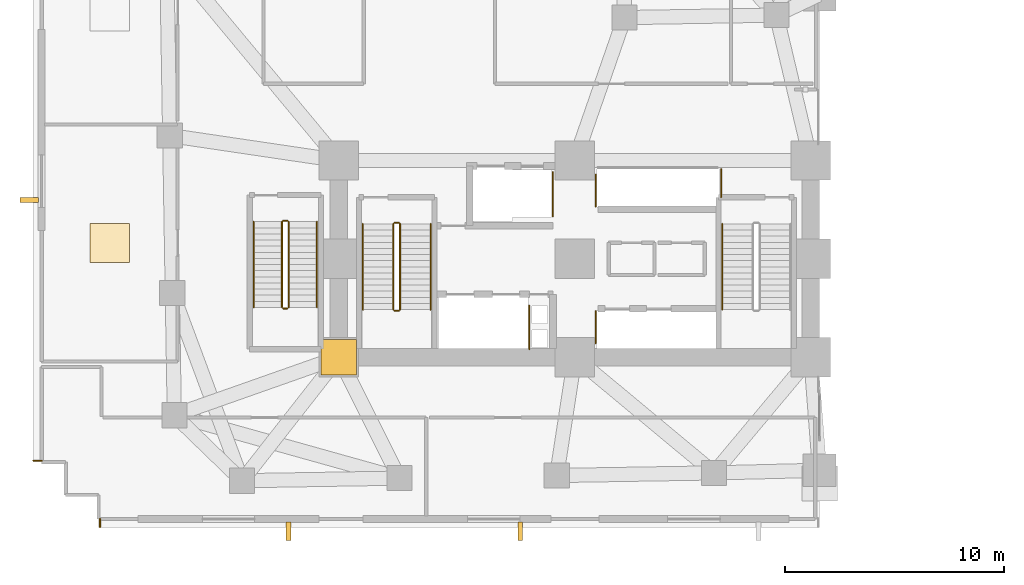
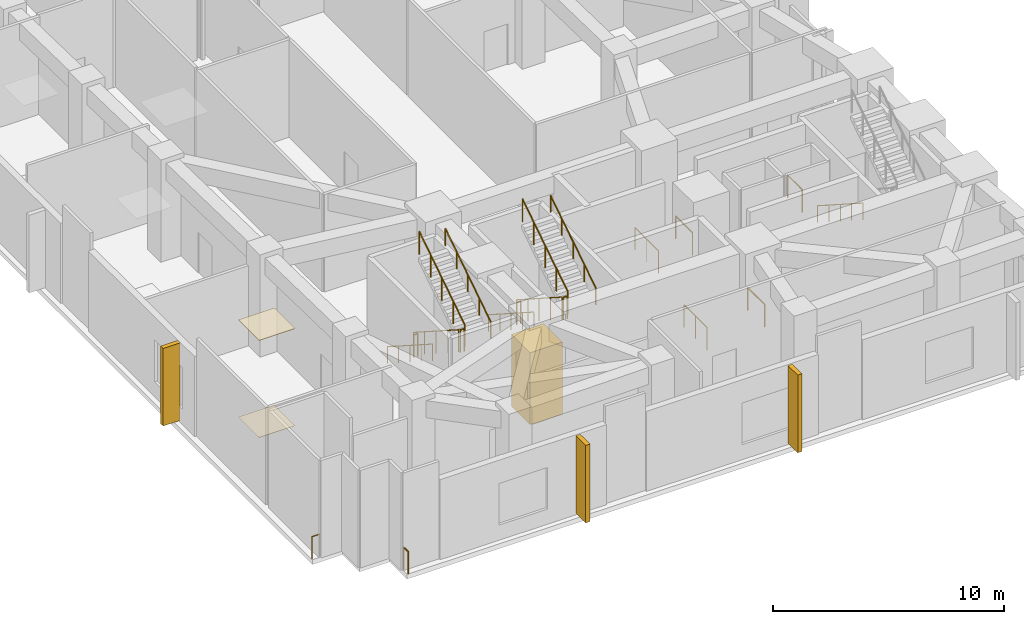
# One storey, part 13 of 18: 20 railings, 3 coverings, 3 shading devices.
"""IFC4 building model written with IfcOpenShell, lengths in metres."""

from ifc_helpers import new_model, si_unit, direction, frame, origin, origin_2d, place, context, subcontext, project, spatial, rectangle, circle, extrude, material, layer, layer_set, type_object, element, save


model = new_model("IFC4")

# Units and contexts
model_context = context("Model", 3, precision=1e-05, world=origin(), true_north=direction((0.0, 1.0)))
body_context = subcontext(model_context, "Body", "Model", "MODEL_VIEW")
ifc_project = project(units=[si_unit("LENGTHUNIT", "METRE"), si_unit("AREAUNIT", "SQUARE_METRE"), si_unit("VOLUMEUNIT", "CUBIC_METRE"), si_unit("PLANEANGLEUNIT", "RADIAN"), si_unit("MASSUNIT", "GRAM", prefix="KILO")], contexts=[model_context])

# Site, building, storey
site_placement = place(None, origin())
site = spatial("IfcSite", under=ifc_project, at=site_placement, CompositionType="ELEMENT")
building_placement = place(site_placement, origin())
building = spatial("IfcBuilding", under=site, at=building_placement, Name="Gaonmaruhae Medical Tower", CompositionType="ELEMENT")
storey_placement = place(building_placement, frame((0.0, 0.0, 10.800048828125)))
storey = spatial("IfcBuildingStorey", under=building, at=storey_placement, Name="L02", CompositionType="ELEMENT", Elevation=10.800048828125)

# Coverings
ifc_material_1 = material(Name="Architectural precast column cladding", Category="concrete")
ifc_layer_1 = layer(ifc_material_1, 0.06005859375)
ifc_layer_set_1 = layer_set([ifc_layer_1], Name="Architectural precast column cladding")
covering_type_1 = type_object("IfcCoveringType", Name="CLD-01 Architectural Precast Pier Cladding", PredefinedType="CLADDING", material=ifc_layer_set_1)
covering_1_placement = place(storey_placement, frame((14.0, 7.800048828125, 0.10009765625), z_axis=(0.0, 0.0, 1.0), x_axis=(1.0, 0.0, 0.0)))
element("IfcCovering", 1, at=covering_1_placement, inside=storey, type_object=covering_type_1, Name="L02 Architectural Precast Column Cladding 5", PredefinedType="CLADDING", context=body_context, shape_type="SweptSolid", body=[
    extrude(rectangle(XDim=1.6201171875, YDim=1.6201171875, at=origin_2d()), origin(), (0.0, 0.0, 1.0), 3.800048828125),
])
ifc_material_2 = material(Name="Acoustic mineral ceiling tile", Category="finish")
ifc_layer_2 = layer(ifc_material_2, 0.02490234375)
ifc_layer_set_2 = layer_set([ifc_layer_2], Name="Acoustic mineral ceiling tile")
covering_type_2 = type_object("IfcCoveringType", Name="CLG-01 Antimicrobial Acoustic Mineral Ceiling", PredefinedType="CEILING", material=ifc_layer_set_2)
covering_2_placement = place(storey_placement, frame((3.510009765625, 13.02490234375, 5.125), z_axis=(0.0, 0.0, 1.0), x_axis=(1.0, 0.0, 0.0)))
element("IfcCovering", 2, at=covering_2_placement, inside=storey, type_object=covering_type_2, Name="L02 Clinical Room Acoustic Ceiling 2", PredefinedType="CEILING", context=body_context, shape_type="SweptSolid", body=[
    extrude(rectangle(XDim=1.800048828125, YDim=1.800048828125, at=origin_2d()), origin(), (0.0, 0.0, 1.0), 0.02490234375),
])
ifc_material_3 = material(Name="Seamless clinical vinyl flooring", Category="finish")
ifc_layer_3 = layer(ifc_material_3, 0.014892578125)
ifc_layer_set_3 = layer_set([ifc_layer_3], Name="Seamless clinical vinyl flooring")
covering_type_3 = type_object("IfcCoveringType", Name="FLR-01 Seamless Clinical Antistatic Vinyl Flooring", PredefinedType="FLOORING", material=ifc_layer_set_3)
covering_3_placement = place(storey_placement, frame((3.510009765625, 13.02490234375, 0.0), z_axis=(0.0, 0.0, 1.0), x_axis=(1.0, 0.0, 0.0)))
element("IfcCovering", 3, at=covering_3_placement, inside=storey, type_object=covering_type_3, Name="L02 Clinical Room Vinyl Flooring 2", PredefinedType="FLOORING", context=body_context, shape_type="SweptSolid", body=[
    extrude(rectangle(XDim=1.800048828125, YDim=1.800048828125, at=origin_2d()), origin(), (0.0, 0.0, 1.0), 0.014892578125),
])

# Railings
ifc_material_4 = material(Name="Stainless steel 316L and laminated safety glass", Category="steel")
ifc_layer_4 = layer(ifc_material_4, 0.080078125)
ifc_layer_set_4 = layer_set([ifc_layer_4], Name="Stainless steel 316L and laminated safety glass")
railing_type_1 = type_object("IfcRailingType", Name="GD-120 Outdoor Terrace Safety Glass & Steel Balustrade", PredefinedType="BALUSTRADE", material=ifc_layer_set_4)
railing_1_placement = place(storey_placement, frame((3.070068359375, 0.02001953125, 0.0)))
element("IfcRailing", 4, at=railing_1_placement, inside=storey, type_object=railing_type_1, Name="L02 Perimeter Slab Edge Safety Balustrade 01", PredefinedType="BALUSTRADE", context=body_context, shape_type="SweptSolid", body=[
    extrude(circle(Radius=0.02392578125, at=origin_2d()), frame((0.0, 0.0, 1.17578125), z_axis=(0.0, 1.0, 0.0), x_axis=(-1.0, 0.0, 0.0)), (0.0, 0.0, 1.0), 0.393310546875),
    extrude(circle(Radius=0.02099609375, at=origin_2d()), origin(), (0.0, 0.0, 1.0), 1.15185546875),
    extrude(circle(Radius=0.02099609375, at=origin_2d()), frame((0.0, 0.393310546875, 0.0)), (0.0, 0.0, 1.0), 1.15185546875),
])
railing_2_placement = place(storey_placement, frame((0.413330078125, 3.070068359375, 0.0)))
element("IfcRailing", 5, at=railing_2_placement, inside=storey, type_object=railing_type_1, Name="L02 Perimeter Slab Edge Safety Balustrade 02", PredefinedType="BALUSTRADE", context=body_context, shape_type="SweptSolid", body=[
    extrude(circle(Radius=0.02392578125, at=origin_2d()), frame((0.0, 0.0, 1.17578125), z_axis=(-1.0, 0.0, 0.0), x_axis=(0.0, -1.0, 0.0)), (0.0, 0.0, 1.0), 0.393310546875),
    extrude(circle(Radius=0.02099609375, at=origin_2d()), origin(), (0.0, 0.0, 1.0), 1.15185546875),
    extrude(circle(Radius=0.02099609375, at=origin_2d()), frame((-0.393310546875, 0.0, 0.0)), (0.0, 0.0, 1.0), 1.15185546875),
])
ifc_material_5 = material(Name="Stainless steel 304 handrail", Category="steel")
railing_type_2 = type_object("IfcRailingType", Name="HR-092 Continuous Stainless Steel Stair Handrail", PredefinedType="HANDRAIL", material=ifc_material_5)
railing_3_placement = place(storey_placement, frame((15.10009765625, 13.89990234375, 0.179931640625)))
element("IfcRailing", 6, at=railing_3_placement, inside=storey, type_object=railing_type_2, Name="L02 ST-01 stair handrail 1", PredefinedType="HANDRAIL", context=body_context, shape_type="SweptSolid", body=[
    extrude(circle(Radius=0.02392578125, at=origin_2d()), frame((0.0, 0.0, 0.8759765625), z_axis=(0.0, -0.841171666519, 0.540768182723), x_axis=(1.0, 0.0, 0.0)), (0.0, 0.0, 1.0), 4.66015625),
    extrude(circle(Radius=0.02099609375, at=origin_2d()), origin(), (0.0, 0.0, 1.0), 0.851806640625),
    extrude(circle(Radius=0.02099609375, at=origin_2d()), frame((0.0, -0.97998046875, 0.6298828125)), (0.0, 0.0, 1.0), 0.851806640625),
    extrude(circle(Radius=0.02099609375, at=origin_2d()), frame((0.0, -1.9599609375, 1.260009765625)), (0.0, 0.0, 1.0), 0.851806640625),
    extrude(circle(Radius=0.02099609375, at=origin_2d()), frame((0.0, -2.93994140625, 1.89013671875)), (0.0, 0.0, 1.0), 0.851806640625),
    extrude(circle(Radius=0.02099609375, at=origin_2d()), frame((0.0, -3.919921875, 2.52001953125)), (0.0, 0.0, 1.0), 0.851806640625),
])
railing_4_placement = place(storey_placement, frame((18.199951171875, 9.97998046875, 2.8798828125)))
element("IfcRailing", 7, at=railing_4_placement, inside=storey, type_object=railing_type_2, Name="L02 ST-01 stair handrail 2", PredefinedType="HANDRAIL", context=body_context, shape_type="SweptSolid", body=[
    extrude(circle(Radius=0.02392578125, at=origin_2d()), frame((0.0, 0.0, 0.8759765625), z_axis=(0.0, 0.841171666519, 0.540768182723), x_axis=(-1.0, 0.0, 0.0)), (0.0, 0.0, 1.0), 4.66015625),
    extrude(circle(Radius=0.02099609375, at=origin_2d()), origin(), (0.0, 0.0, 1.0), 0.851806640625),
    extrude(circle(Radius=0.02099609375, at=origin_2d()), frame((0.0, 0.97998046875, 0.6298828125)), (0.0, 0.0, 1.0), 0.851806640625),
    extrude(circle(Radius=0.02099609375, at=origin_2d()), frame((0.0, 1.9599609375, 1.260009765625)), (0.0, 0.0, 1.0), 0.851806640625),
    extrude(circle(Radius=0.02099609375, at=origin_2d()), frame((0.0, 2.93994140625, 1.89013671875)), (0.0, 0.0, 1.0), 0.851806640625),
    extrude(circle(Radius=0.02099609375, at=origin_2d()), frame((0.0, 3.919921875, 2.52001953125)), (0.0, 0.0, 1.0), 0.851806640625),
])
for number, where, name in (
    (8, (31.550048828125, 13.89990234375, 0.179931640625), "L02 ST-02 stair handrail 1"),
    (9, (10.10009765625, 14.0, 0.179931640625), "L02 ST-03 stair handrail 1"),
):
    element("IfcRailing", number, at=place(storey_placement, frame(where)), inside=storey, type_object=railing_type_2, Name=name, PredefinedType="HANDRAIL", context=body_context, shape_type="SweptSolid", body=[
        extrude(circle(Radius=0.02392578125, at=origin_2d()), frame((0.0, 0.0, 0.8759765625), z_axis=(0.0, -0.841171666519, 0.540768182723), x_axis=(1.0, 0.0, 0.0)), (0.0, 0.0, 1.0), 4.66015625),
        extrude(circle(Radius=0.02099609375, at=origin_2d()), origin(), (0.0, 0.0, 1.0), 0.851806640625),
        extrude(circle(Radius=0.02099609375, at=origin_2d()), frame((0.0, -0.97998046875, 0.6298828125)), (0.0, 0.0, 1.0), 0.851806640625),
        extrude(circle(Radius=0.02099609375, at=origin_2d()), frame((0.0, -1.9599609375, 1.260009765625)), (0.0, 0.0, 1.0), 0.851806640625),
        extrude(circle(Radius=0.02099609375, at=origin_2d()), frame((0.0, -2.93994140625, 1.89013671875)), (0.0, 0.0, 1.0), 0.851806640625),
        extrude(circle(Radius=0.02099609375, at=origin_2d()), frame((0.0, -3.919921875, 2.52001953125)), (0.0, 0.0, 1.0), 0.851806640625),
    ])
railing_5_placement = place(storey_placement, frame((13.0, 10.080078125, 2.8798828125)))
element("IfcRailing", 10, at=railing_5_placement, inside=storey, type_object=railing_type_2, Name="L02 ST-03 stair handrail 2", PredefinedType="HANDRAIL", context=body_context, shape_type="SweptSolid", body=[
    extrude(circle(Radius=0.02392578125, at=origin_2d()), frame((0.0, 0.0, 0.8759765625), z_axis=(0.0, 0.841171666519, 0.540768182723), x_axis=(-1.0, 0.0, 0.0)), (0.0, 0.0, 1.0), 4.66015625),
    extrude(circle(Radius=0.02099609375, at=origin_2d()), origin(), (0.0, 0.0, 1.0), 0.851806640625),
    extrude(circle(Radius=0.02099609375, at=origin_2d()), frame((0.0, 0.97998046875, 0.6298828125)), (0.0, 0.0, 1.0), 0.851806640625),
    extrude(circle(Radius=0.02099609375, at=origin_2d()), frame((0.0, 1.9599609375, 1.260009765625)), (0.0, 0.0, 1.0), 0.851806640625),
    extrude(circle(Radius=0.02099609375, at=origin_2d()), frame((0.0, 2.93994140625, 1.89013671875)), (0.0, 0.0, 1.0), 0.851806640625),
    extrude(circle(Radius=0.02099609375, at=origin_2d()), frame((0.0, 3.919921875, 2.52001953125)), (0.0, 0.0, 1.0), 0.851806640625),
])

# Shading devices
ifc_material_6 = material(Name="Pigmented coral precast concrete C45/55", Category="concrete")
shading_device_type = type_object("IfcShadingDeviceType", Name="SD-FIN2 Podium Vertical Coral Precast Shading Fin", PredefinedType="USERDEFINED", material=ifc_material_6)
for number, where, z_axis, x_axis, name in (
    (11, (11.699951171875, -0.1650390625, 0.06494140625), (0.0, 0.0, 1.0), (-1.0, 0.0, 0.0), "L02 Podium Coral Precast Shading Fin PB-S1"),
    (12, (22.300048828125, -0.1650390625, 0.06494140625), (0.0, 0.0, 1.0), (-1.0, 0.0, 0.0), "L02 Podium Coral Precast Shading Fin PB-S2"),
    (13, (-0.1650390625, 15.0, 0.06494140625), (0.0, 0.0, 1.0), (0.0, 1.0, 0.0), "L02 Podium Coral Precast Shading Fin PB-W1"),
):
    element("IfcShadingDevice", number, at=place(storey_placement, frame(where, z_axis=z_axis, x_axis=x_axis)), inside=storey, type_object=shading_device_type, Name=name, ObjectType="FIN", PredefinedType="USERDEFINED", context=body_context, shape_type="SweptSolid", body=[
        extrude(rectangle(XDim=0.219970703125, YDim=0.85009765625, at=origin_2d()), origin(), (0.0, 0.0, 1.0), 4.10009765625),
    ])

# Railings
ifc_material_7 = material(Name="Stainless steel 304 balustrade", Category="steel")
railing_type_3 = type_object("IfcRailingType", Name="SG-112 Stair Well & Ramp Void Safety Balustrade", PredefinedType="BALUSTRADE", material=ifc_material_7)
railing_6_placement = place(storey_placement, frame((16.5, 13.89990234375, 0.179931640625)))
element("IfcRailing", 14, at=railing_6_placement, inside=storey, type_object=railing_type_3, Name="L02 ST-01 stair guard 1", PredefinedType="BALUSTRADE", context=body_context, shape_type="SweptSolid", body=[
    extrude(circle(Radius=0.02392578125, at=origin_2d()), frame((0.0, 0.0, 1.17578125), z_axis=(0.0, -0.841171666519, 0.540768182723), x_axis=(1.0, 0.0, 0.0)), (0.0, 0.0, 1.0), 4.66015625),
    extrude(circle(Radius=0.02099609375, at=origin_2d()), origin(), (0.0, 0.0, 1.0), 1.15185546875),
    extrude(circle(Radius=0.02099609375, at=origin_2d()), frame((0.0, -0.97998046875, 0.6298828125)), (0.0, 0.0, 1.0), 1.15185546875),
    extrude(circle(Radius=0.02099609375, at=origin_2d()), frame((0.0, -1.9599609375, 1.260009765625)), (0.0, 0.0, 1.0), 1.15185546875),
    extrude(circle(Radius=0.02099609375, at=origin_2d()), frame((0.0, -2.93994140625, 1.89013671875)), (0.0, 0.0, 1.0), 1.15185546875),
    extrude(circle(Radius=0.02099609375, at=origin_2d()), frame((0.0, -3.919921875, 2.52001953125)), (0.0, 0.0, 1.0), 1.15185546875),
])
railing_7_placement = place(storey_placement, frame((16.550048828125, 9.929931640625, 2.699951171875)))
element("IfcRailing", 15, at=railing_7_placement, inside=storey, type_object=railing_type_3, Name="L02 ST-01 stair guard 2", PredefinedType="BALUSTRADE", context=body_context, shape_type="SweptSolid", body=[
    extrude(circle(Radius=0.02392578125, at=origin_2d()), frame((0.0, 0.0, 1.17578125), z_axis=(1.0, 0.0, 0.0), x_axis=(0.0, 1.0, 0.0)), (0.0, 0.0, 1.0), 0.199951171875),
    extrude(circle(Radius=0.02099609375, at=origin_2d()), origin(), (0.0, 0.0, 1.0), 1.15185546875),
    extrude(circle(Radius=0.02099609375, at=origin_2d()), frame((0.199951171875, 0.0, 0.0)), (0.0, 0.0, 1.0), 1.15185546875),
])
railing_8_placement = place(storey_placement, frame((16.800048828125, 9.97998046875, 2.8798828125)))
element("IfcRailing", 16, at=railing_8_placement, inside=storey, type_object=railing_type_3, Name="L02 ST-01 stair guard 3", PredefinedType="BALUSTRADE", context=body_context, shape_type="SweptSolid", body=[
    extrude(circle(Radius=0.02392578125, at=origin_2d()), frame((0.0, 0.0, 1.17578125), z_axis=(0.0, 0.841171666519, 0.540768182723), x_axis=(-1.0, 0.0, 0.0)), (0.0, 0.0, 1.0), 4.66015625),
    extrude(circle(Radius=0.02099609375, at=origin_2d()), origin(), (0.0, 0.0, 1.0), 1.15185546875),
    extrude(circle(Radius=0.02099609375, at=origin_2d()), frame((0.0, 0.97998046875, 0.6298828125)), (0.0, 0.0, 1.0), 1.15185546875),
    extrude(circle(Radius=0.02099609375, at=origin_2d()), frame((0.0, 1.9599609375, 1.260009765625)), (0.0, 0.0, 1.0), 1.15185546875),
    extrude(circle(Radius=0.02099609375, at=origin_2d()), frame((0.0, 2.93994140625, 1.89013671875)), (0.0, 0.0, 1.0), 1.15185546875),
    extrude(circle(Radius=0.02099609375, at=origin_2d()), frame((0.0, 3.919921875, 2.52001953125)), (0.0, 0.0, 1.0), 1.15185546875),
])
railing_9_placement = place(storey_placement, frame((16.550048828125, 13.949951171875, 0.0)))
element("IfcRailing", 17, at=railing_9_placement, inside=storey, type_object=railing_type_3, Name="L02 ST-01 stair guard 4", PredefinedType="BALUSTRADE", context=body_context, shape_type="SweptSolid", body=[
    extrude(circle(Radius=0.02392578125, at=origin_2d()), frame((0.0, 0.0, 1.17578125), z_axis=(1.0, 0.0, 0.0), x_axis=(0.0, 1.0, 0.0)), (0.0, 0.0, 1.0), 0.199951171875),
    extrude(circle(Radius=0.02099609375, at=origin_2d()), origin(), (0.0, 0.0, 1.0), 1.15185546875),
    extrude(circle(Radius=0.02099609375, at=origin_2d()), frame((0.199951171875, 0.0, 0.0)), (0.0, 0.0, 1.0), 1.15185546875),
])
railing_10_placement = place(storey_placement, frame((11.39990234375, 14.0, 0.179931640625)))
element("IfcRailing", 18, at=railing_10_placement, inside=storey, type_object=railing_type_3, Name="L02 ST-03 stair guard 1", PredefinedType="BALUSTRADE", context=body_context, shape_type="SweptSolid", body=[
    extrude(circle(Radius=0.02392578125, at=origin_2d()), frame((0.0, 0.0, 1.17578125), z_axis=(0.0, -0.841171666519, 0.540768182723), x_axis=(1.0, 0.0, 0.0)), (0.0, 0.0, 1.0), 4.66015625),
    extrude(circle(Radius=0.02099609375, at=origin_2d()), origin(), (0.0, 0.0, 1.0), 1.15185546875),
    extrude(circle(Radius=0.02099609375, at=origin_2d()), frame((0.0, -0.97998046875, 0.6298828125)), (0.0, 0.0, 1.0), 1.15185546875),
    extrude(circle(Radius=0.02099609375, at=origin_2d()), frame((0.0, -1.9599609375, 1.260009765625)), (0.0, 0.0, 1.0), 1.15185546875),
    extrude(circle(Radius=0.02099609375, at=origin_2d()), frame((0.0, -2.93994140625, 1.89013671875)), (0.0, 0.0, 1.0), 1.15185546875),
    extrude(circle(Radius=0.02099609375, at=origin_2d()), frame((0.0, -3.919921875, 2.52001953125)), (0.0, 0.0, 1.0), 1.15185546875),
])
railing_11_placement = place(storey_placement, frame((11.449951171875, 10.030029296875, 2.699951171875)))
element("IfcRailing", 19, at=railing_11_placement, inside=storey, type_object=railing_type_3, Name="L02 ST-03 stair guard 2", PredefinedType="BALUSTRADE", context=body_context, shape_type="SweptSolid", body=[
    extrude(circle(Radius=0.02392578125, at=origin_2d()), frame((0.0, 0.0, 1.17578125), z_axis=(1.0, 0.0, 0.0), x_axis=(0.0, 1.0, 0.0)), (0.0, 0.0, 1.0), 0.199951171875),
    extrude(circle(Radius=0.02099609375, at=origin_2d()), origin(), (0.0, 0.0, 1.0), 1.15185546875),
    extrude(circle(Radius=0.02099609375, at=origin_2d()), frame((0.199951171875, 0.0, 0.0)), (0.0, 0.0, 1.0), 1.15185546875),
])
railing_12_placement = place(storey_placement, frame((11.699951171875, 10.080078125, 2.8798828125)))
element("IfcRailing", 20, at=railing_12_placement, inside=storey, type_object=railing_type_3, Name="L02 ST-03 stair guard 3", PredefinedType="BALUSTRADE", context=body_context, shape_type="SweptSolid", body=[
    extrude(circle(Radius=0.02392578125, at=origin_2d()), frame((0.0, 0.0, 1.17578125), z_axis=(0.0, 0.841171666519, 0.540768182723), x_axis=(-1.0, 0.0, 0.0)), (0.0, 0.0, 1.0), 4.66015625),
    extrude(circle(Radius=0.02099609375, at=origin_2d()), origin(), (0.0, 0.0, 1.0), 1.15185546875),
    extrude(circle(Radius=0.02099609375, at=origin_2d()), frame((0.0, 0.97998046875, 0.6298828125)), (0.0, 0.0, 1.0), 1.15185546875),
    extrude(circle(Radius=0.02099609375, at=origin_2d()), frame((0.0, 1.9599609375, 1.260009765625)), (0.0, 0.0, 1.0), 1.15185546875),
    extrude(circle(Radius=0.02099609375, at=origin_2d()), frame((0.0, 2.93994140625, 1.89013671875)), (0.0, 0.0, 1.0), 1.15185546875),
    extrude(circle(Radius=0.02099609375, at=origin_2d()), frame((0.0, 3.919921875, 2.52001953125)), (0.0, 0.0, 1.0), 1.15185546875),
])
railing_13_placement = place(storey_placement, frame((11.449951171875, 14.050048828125, 0.0)))
element("IfcRailing", 21, at=railing_13_placement, inside=storey, type_object=railing_type_3, Name="L02 ST-03 stair guard 4", PredefinedType="BALUSTRADE", context=body_context, shape_type="SweptSolid", body=[
    extrude(circle(Radius=0.02392578125, at=origin_2d()), frame((0.0, 0.0, 1.17578125), z_axis=(1.0, 0.0, 0.0), x_axis=(0.0, 1.0, 0.0)), (0.0, 0.0, 1.0), 0.199951171875),
    extrude(circle(Radius=0.02099609375, at=origin_2d()), origin(), (0.0, 0.0, 1.0), 1.15185546875),
    extrude(circle(Radius=0.02099609375, at=origin_2d()), frame((0.199951171875, 0.0, 0.0)), (0.0, 0.0, 1.0), 1.15185546875),
])
railing_14_placement = place(storey_placement, frame((22.719970703125, 10.159912109375, 0.0)))
element("IfcRailing", 22, at=railing_14_placement, inside=storey, type_object=railing_type_3, Name="L02 Shaft Edge Safety Guard 16", PredefinedType="BALUSTRADE", context=body_context, shape_type="SweptSolid", body=[
    extrude(circle(Radius=0.02392578125, at=origin_2d()), frame((0.0, 0.0, 1.17578125), z_axis=(0.0, -1.0, 0.0), x_axis=(1.0, 0.0, 0.0)), (0.0, 0.0, 1.0), 1.994873046875),
    extrude(circle(Radius=0.02099609375, at=origin_2d()), origin(), (0.0, 0.0, 1.0), 1.15185546875),
    extrude(circle(Radius=0.02099609375, at=origin_2d()), frame((0.0, -0.99755859375, 0.0)), (0.0, 0.0, 1.0), 1.15185546875),
    extrude(circle(Radius=0.02099609375, at=origin_2d()), frame((0.0, -1.994873046875, 0.0)), (0.0, 0.0, 1.0), 1.15185546875),
])
railing_15_placement = place(storey_placement, frame((23.794921875, 16.27587890625, 0.0)))
element("IfcRailing", 23, at=railing_15_placement, inside=storey, type_object=railing_type_3, Name="L02 Shaft Edge Safety Guard 17", PredefinedType="BALUSTRADE", context=body_context, shape_type="SweptSolid", body=[
    extrude(circle(Radius=0.02392578125, at=origin_2d()), frame((0.0, 0.0, 1.17578125), z_axis=(0.0, -1.0, 0.0), x_axis=(1.0, 0.0, 0.0)), (0.0, 0.0, 1.0), 2.03076171875),
    extrude(circle(Radius=0.02099609375, at=origin_2d()), origin(), (0.0, 0.0, 1.0), 1.15185546875),
    extrude(circle(Radius=0.02099609375, at=origin_2d()), frame((0.0, -1.015380859375, 0.0)), (0.0, 0.0, 1.0), 1.15185546875),
    extrude(circle(Radius=0.02099609375, at=origin_2d()), frame((0.0, -2.03076171875, 0.0)), (0.0, 0.0, 1.0), 1.15185546875),
])
railing_16_placement = place(storey_placement, frame((25.7548828125, 8.445068359375, 0.0)))
element("IfcRailing", 24, at=railing_16_placement, inside=storey, type_object=railing_type_3, Name="L02 Shaft Edge Safety Guard 18", PredefinedType="BALUSTRADE", context=body_context, shape_type="SweptSolid", body=[
    extrude(circle(Radius=0.02392578125, at=origin_2d()), frame((0.0, 0.0, 1.17578125), z_axis=(0.0, 1.0, 0.0), x_axis=(-1.0, 0.0, 0.0)), (0.0, 0.0, 1.0), 1.4599609375),
    extrude(circle(Radius=0.02099609375, at=origin_2d()), origin(), (0.0, 0.0, 1.0), 1.15185546875),
    extrude(circle(Radius=0.02099609375, at=origin_2d()), frame((0.0, 1.4599609375, 0.0)), (0.0, 0.0, 1.0), 1.15185546875),
])
railing_17_placement = place(storey_placement, frame((31.4951171875, 16.405029296875, 0.0)))
element("IfcRailing", 25, at=railing_17_placement, inside=storey, type_object=railing_type_3, Name="L02 Shaft Edge Safety Guard 19", PredefinedType="BALUSTRADE", context=body_context, shape_type="SweptSolid", body=[
    extrude(circle(Radius=0.02392578125, at=origin_2d()), frame((0.0, 0.0, 1.17578125), z_axis=(0.0, -1.0, 0.0), x_axis=(1.0, 0.0, 0.0)), (0.0, 0.0, 1.0), 1.284912109375),
    extrude(circle(Radius=0.02099609375, at=origin_2d()), origin(), (0.0, 0.0, 1.0), 1.15185546875),
    extrude(circle(Radius=0.02099609375, at=origin_2d()), frame((0.0, -1.284912109375, 0.0)), (0.0, 0.0, 1.0), 1.15185546875),
])
railing_18_placement = place(storey_placement, frame((25.7548828125, 14.695068359375, 0.0)))
element("IfcRailing", 26, at=railing_18_placement, inside=storey, type_object=railing_type_3, Name="L02 Shaft Edge Safety Guard 20", PredefinedType="BALUSTRADE", context=body_context, shape_type="SweptSolid", body=[
    extrude(circle(Radius=0.02392578125, at=origin_2d()), frame((0.0, 0.0, 1.17578125), z_axis=(0.0, 1.0, 0.0), x_axis=(-1.0, 0.0, 0.0)), (0.0, 0.0, 1.0), 1.4599609375),
    extrude(circle(Radius=0.02099609375, at=origin_2d()), origin(), (0.0, 0.0, 1.0), 1.15185546875),
    extrude(circle(Radius=0.02099609375, at=origin_2d()), frame((0.0, 1.4599609375, 0.0)), (0.0, 0.0, 1.0), 1.15185546875),
])

save(model, "model.ifc")
